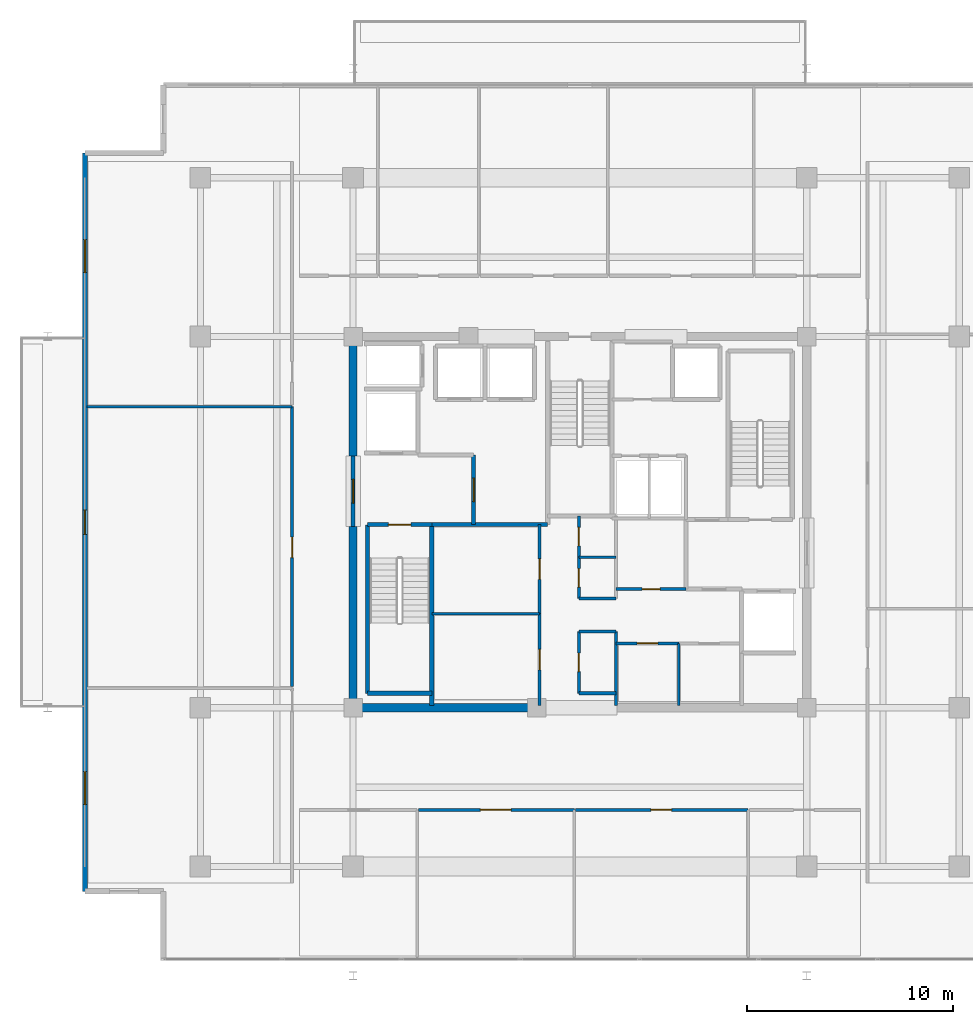
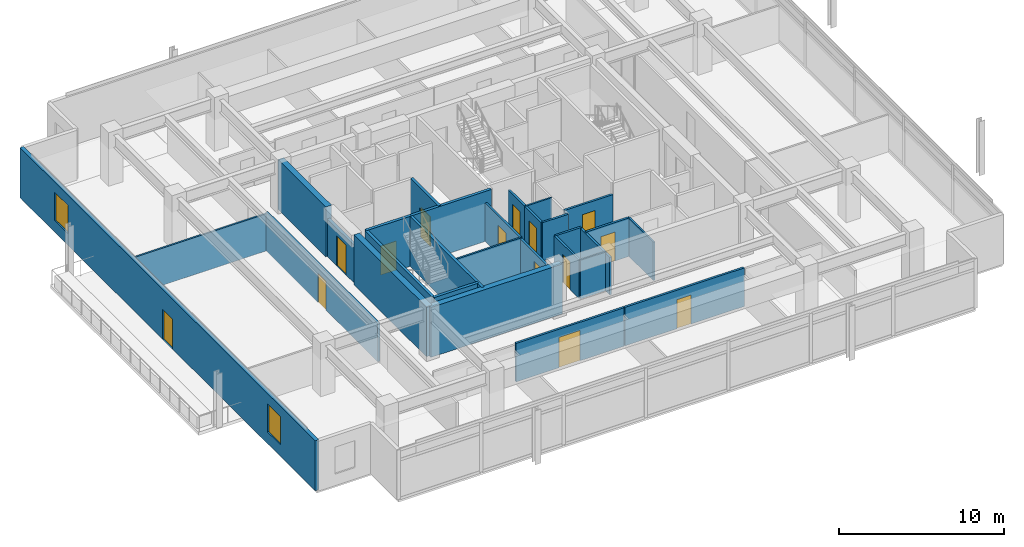
# One storey, part 11 of 18: 29 walls, 14 doors, 2 windows, 16 openings.
"""IFC4 building model written with IfcOpenShell, lengths in metres."""

from ifc_helpers import new_model, si_unit, direction, frame, frame_2d, origin, place, context, subcontext, project, spatial, rectangle, extrude, material, layer, layer_set, type_object, element, fill, save


model = new_model("IFC4")

# Units and contexts
model_context = context("Model", 3, precision=1e-05, world=origin(), true_north=direction((0.0, 1.0)))
body_context = subcontext(model_context, "Body", "Model", "MODEL_VIEW")
ifc_project = project(units=[si_unit("LENGTHUNIT", "METRE"), si_unit("AREAUNIT", "SQUARE_METRE"), si_unit("VOLUMEUNIT", "CUBIC_METRE"), si_unit("PLANEANGLEUNIT", "RADIAN"), si_unit("MASSUNIT", "GRAM", prefix="KILO")], contexts=[model_context])

# Site, building, storey
site_placement = place(None, origin())
site = spatial("IfcSite", under=ifc_project, at=site_placement, CompositionType="ELEMENT")
building_placement = place(site_placement, origin())
building = spatial("IfcBuilding", under=site, at=building_placement, Name="Kovane Verandah Tower", CompositionType="ELEMENT")
storey_placement = place(building_placement, frame((0.0, 0.0, 338.800048828125)))
storey = spatial("IfcBuildingStorey", under=building, at=storey_placement, Name="L79", CompositionType="ELEMENT", Elevation=338.800048828125)

# Walls
ifc_material_1 = material(Name="Fire-Rated Gypsum Stud Partition", Category="gypsum")
ifc_layer_1 = layer(ifc_material_1, 0.14990234375)
ifc_layer_set_1 = layer_set([ifc_layer_1], Name="Fire-Rated Gypsum Stud Partition")
wall_type_1 = type_object("IfcWallType", Name="WL-COR-150", PredefinedType="PARTITIONING", material=ifc_layer_set_1)
for number, where, z_axis, x_axis, name in (
    (1, (39.949951171875, 19.199951171875, 0.0), (0.0, 0.0, 1.0), (1.0, 0.0, 0.0), "L79 Central Core Strip South Wall"),
    (2, (39.949951171875, 22.199951171875, 0.0), (0.0, 0.0, 1.0), (1.0, 0.0, 0.0), "L79 Core Cross-Passage South Wall"),
    (3, (39.949951171875, 23.800048828125, 0.0), (0.0, 0.0, 1.0), (1.0, 0.0, 0.0), "L79 Core Cross-Passage North Wall"),
):
    element("IfcWall", number, at=place(storey_placement, frame(where, z_axis=z_axis, x_axis=x_axis)), inside=storey, type_object=wall_type_1, Name=name, PredefinedType="PARTITIONING", context=body_context, shape_type="SweptSolid", body=[
        extrude(rectangle(XDim=1.81005859375, YDim=0.14990234375, at=frame_2d((0.905029296875, 0.0))), origin(), (0.0, 0.0, 1.0), 2.849853515625),
    ])
wall_1_placement = place(storey_placement, frame((41.760009765625, 18.60009765625, 0.0), z_axis=(0.0, 0.0, 1.0), x_axis=(0.0, 1.0, 0.0)))
element("IfcWall", 4, at=wall_1_placement, inside=storey, type_object=wall_type_1, Name="L79 Central Core Strip Lower East Wall", PredefinedType="PARTITIONING", context=body_context, shape_type="SweptSolid", body=[
    extrude(rectangle(XDim=3.599853515625, YDim=0.14990234375, at=frame_2d((1.7998046875, 0.0))), origin(), (0.0, 0.0, 1.0), 2.780029296875),
])

# Wall, opening, door
wall_2_placement = place(storey_placement, frame((39.949951171875, 19.199951171875, 0.0), z_axis=(0.0, 0.0, 1.0), x_axis=(0.0, 1.0, 0.0)))
wall_2 = element("IfcWall", 5, at=wall_2_placement, inside=storey, type_object=wall_type_1, Name="L79 Male Toilet Partition", PredefinedType="PARTITIONING", context=body_context, shape_type="SweptSolid", body=[
    extrude(rectangle(XDim=3.0, YDim=0.14990234375, at=frame_2d((1.5, 0.0))), origin(), (0.0, 0.0, 1.0), 2.849853515625),
])
opening_1_placement = place(wall_2_placement, frame((1.050048828125, 0.0, 0.0)))
opening_1 = element("IfcOpeningElement", 6, at=opening_1_placement, cuts=wall_2, Name="Opening DR-L79-033", PredefinedType="OPENING", context=body_context, shape_type="SweptSolid", body=[
    extrude(rectangle(XDim=0.89990234375, YDim=2.10009765625, at=frame_2d((0.449951171875, 1.050048828125))), frame((0.0, 0.074951171875, 0.0), z_axis=(0.0, -1.0, 0.0), x_axis=(1.0, 0.0, 0.0)), (0.0, 0.0, 1.0), 0.14990234375),
])
ifc_material_2 = material(Name="Moisture-Resistant Laminate Washroom Door", Category="wood")
door_type_1 = type_object("IfcDoorType", Name="DR-WC-900", OperationType="SINGLE_SWING_LEFT", PredefinedType="DOOR", material=ifc_material_2)
door_1_placement = place(opening_1_placement, origin())
door_1 = element("IfcDoor", 7, at=door_1_placement, inside=storey, type_object=door_type_1, Name="L79 Male Toilet Door", OperationType="SINGLE_SWING_LEFT", OverallHeight=2.10009765625, OverallWidth=0.89990234375, PredefinedType="DOOR", context=body_context, shape_type="SweptSolid", body=[
    extrude(rectangle(XDim=0.89990234375, YDim=2.10009765625, at=frame_2d((0.449951171875, 1.050048828125))), frame((0.0, 0.02490234375, 0.0), z_axis=(0.0, -1.0, 0.0), x_axis=(1.0, 0.0, 0.0)), (0.0, 0.0, 1.0), 0.050048828125),
])
fill(opening_1, door_1)

wall_3_placement = place(storey_placement, frame((39.949951171875, 23.800048828125, 0.0), z_axis=(0.0, 0.0, 1.0), x_axis=(0.0, 1.0, 0.0)))
wall_3 = element("IfcWall", 8, at=wall_3_placement, inside=storey, type_object=wall_type_1, Name="L79 Female Toilet Partition", PredefinedType="PARTITIONING", context=body_context, shape_type="SweptSolid", body=[
    extrude(rectangle(XDim=2.0, YDim=0.14990234375, at=frame_2d((1.0, 0.0))), origin(), (0.0, 0.0, 1.0), 2.849853515625),
])
opening_2_placement = place(wall_3_placement, frame((0.550048828125, 0.0, 0.0)))
opening_2 = element("IfcOpeningElement", 9, at=opening_2_placement, cuts=wall_3, Name="Opening DR-L79-032", PredefinedType="OPENING", context=body_context, shape_type="SweptSolid", body=[
    extrude(rectangle(XDim=0.89990234375, YDim=2.10009765625, at=frame_2d((0.449951171875, 1.050048828125))), frame((0.0, 0.074951171875, 0.0), z_axis=(0.0, -1.0, 0.0), x_axis=(1.0, 0.0, 0.0)), (0.0, 0.0, 1.0), 0.14990234375),
])
door_2_placement = place(opening_2_placement, origin())
door_2 = element("IfcDoor", 10, at=door_2_placement, inside=storey, type_object=door_type_1, Name="L79 Female Toilet Door", OperationType="SINGLE_SWING_RIGHT", OverallHeight=2.10009765625, OverallWidth=0.89990234375, PredefinedType="DOOR", context=body_context, shape_type="SweptSolid", body=[
    extrude(rectangle(XDim=0.89990234375, YDim=2.10009765625, at=frame_2d((0.449951171875, 1.050048828125))), frame((0.0, 0.02490234375, 0.0), z_axis=(0.0, -1.0, 0.0), x_axis=(1.0, 0.0, 0.0)), (0.0, 0.0, 1.0), 0.050048828125),
])
fill(opening_2, door_2)

wall_4_placement = place(storey_placement, frame((39.949951171875, 25.800048828125, 0.0), z_axis=(0.0, 0.0, 1.0), x_axis=(0.0, 1.0, 0.0)))
wall_4 = element("IfcWall", 11, at=wall_4_placement, inside=storey, type_object=wall_type_1, Name="L79 Accessible Unisex Toilet Partition", PredefinedType="PARTITIONING", context=body_context, shape_type="SweptSolid", body=[
    extrude(rectangle(XDim=2.0, YDim=0.14990234375, at=frame_2d((1.0, 0.0))), origin(), (0.0, 0.0, 1.0), 2.849853515625),
])
opening_3_placement = place(wall_4_placement, frame((0.550048828125, 0.0, 0.0)))
opening_3 = element("IfcOpeningElement", 12, at=opening_3_placement, cuts=wall_4, Name="Opening DR-L79-031", PredefinedType="OPENING", context=body_context, shape_type="SweptSolid", body=[
    extrude(rectangle(XDim=0.89990234375, YDim=2.10009765625, at=frame_2d((0.449951171875, 1.050048828125))), frame((0.0, 0.074951171875, 0.0), z_axis=(0.0, -1.0, 0.0), x_axis=(1.0, 0.0, 0.0)), (0.0, 0.0, 1.0), 0.14990234375),
])
door_3_placement = place(opening_3_placement, origin())
door_3 = element("IfcDoor", 13, at=door_3_placement, inside=storey, type_object=door_type_1, Name="L79 Accessible Unisex Toilet Door", OperationType="SINGLE_SWING_LEFT", OverallHeight=2.10009765625, OverallWidth=0.89990234375, PredefinedType="DOOR", context=body_context, shape_type="SweptSolid", body=[
    extrude(rectangle(XDim=0.89990234375, YDim=2.10009765625, at=frame_2d((0.449951171875, 1.050048828125))), frame((0.0, 0.02490234375, 0.0), z_axis=(0.0, -1.0, 0.0), x_axis=(1.0, 0.0, 0.0)), (0.0, 0.0, 1.0), 0.050048828125),
])
fill(opening_3, door_3)

wall_5_placement = place(storey_placement, frame((38.050048828125, 18.60009765625, 0.0), z_axis=(0.0, 0.0, 1.0), x_axis=(0.0, 1.0, 0.0)))
wall_5 = element("IfcWall", 14, at=wall_5_placement, inside=storey, type_object=wall_type_1, Name="L79 IT Server Room Partition", PredefinedType="PARTITIONING", context=body_context, shape_type="SweptSolid", body=[
    extrude(rectangle(XDim=4.4599609375, YDim=0.14990234375, at=frame_2d((2.22998046875, 0.0))), origin(), (0.0, 0.0, 1.0), 2.780029296875),
])
opening_4_placement = place(wall_5_placement, frame((1.72998046875, 0.0, 0.0)))
opening_4 = element("IfcOpeningElement", 15, at=opening_4_placement, cuts=wall_5, Name="Opening DR-L79-014", PredefinedType="OPENING", context=body_context, shape_type="SweptSolid", body=[
    extrude(rectangle(XDim=1.0, YDim=2.14990234375, at=frame_2d((0.5, 1.074951171875))), frame((0.0, 0.074951171875, 0.0), z_axis=(0.0, -1.0, 0.0), x_axis=(1.0, 0.0, 0.0)), (0.0, 0.0, 1.0), 0.14990234375),
])
ifc_material_3 = material(Name="FSC Spotted-Gum Timber Fire-Rated Office Door", Category="wood")
door_type_2 = type_object("IfcDoorType", Name="DR-OFF-1000", OperationType="SINGLE_SWING_LEFT", PredefinedType="DOOR", material=ifc_material_3)
door_4_placement = place(opening_4_placement, origin())
door_4 = element("IfcDoor", 16, at=door_4_placement, inside=storey, type_object=door_type_2, Name="L79 IT Server Room Door", OperationType="SINGLE_SWING_RIGHT", OverallHeight=2.14990234375, OverallWidth=1.0, PredefinedType="DOOR", context=body_context, shape_type="SweptSolid", body=[
    extrude(rectangle(XDim=1.0, YDim=2.14990234375, at=frame_2d((0.5, 1.074951171875))), frame((0.0, 0.02490234375, 0.0), z_axis=(0.0, -1.0, 0.0), x_axis=(1.0, 0.0, 0.0)), (0.0, 0.0, 1.0), 0.050048828125),
])
fill(opening_4, door_4)

wall_6_placement = place(storey_placement, frame((38.050048828125, 23.06005859375, 0.0), z_axis=(0.0, 0.0, 1.0), x_axis=(0.0, 1.0, 0.0)))
wall_6 = element("IfcWall", 17, at=wall_6_placement, inside=storey, type_object=wall_type_1, Name="L79 Telecom MDF Room Partition", PredefinedType="PARTITIONING", context=body_context, shape_type="SweptSolid", body=[
    extrude(rectangle(XDim=4.31982421875, YDim=0.14990234375, at=frame_2d((2.159912109375, 0.0))), origin(), (0.0, 0.0, 1.0), 2.849853515625),
])
opening_5_placement = place(wall_6_placement, frame((1.659912109375, 0.0, 0.0)))
opening_5 = element("IfcOpeningElement", 18, at=opening_5_placement, cuts=wall_6, Name="Opening DR-L79-015", PredefinedType="OPENING", context=body_context, shape_type="SweptSolid", body=[
    extrude(rectangle(XDim=1.0, YDim=2.14990234375, at=frame_2d((0.5, 1.074951171875))), frame((0.0, 0.074951171875, 0.0), z_axis=(0.0, -1.0, 0.0), x_axis=(1.0, 0.0, 0.0)), (0.0, 0.0, 1.0), 0.14990234375),
])
door_5_placement = place(opening_5_placement, origin())
door_5 = element("IfcDoor", 19, at=door_5_placement, inside=storey, type_object=door_type_2, Name="L79 Telecom MDF Room Door", OperationType="SINGLE_SWING_LEFT", OverallHeight=2.14990234375, OverallWidth=1.0, PredefinedType="DOOR", context=body_context, shape_type="SweptSolid", body=[
    extrude(rectangle(XDim=1.0, YDim=2.14990234375, at=frame_2d((0.5, 1.074951171875))), frame((0.0, 0.02490234375, 0.0), z_axis=(0.0, -1.0, 0.0), x_axis=(1.0, 0.0, 0.0)), (0.0, 0.0, 1.0), 0.050048828125),
])
fill(opening_5, door_5)

wall_7_placement = place(storey_placement, frame((41.760009765625, 21.6201171875, 0.0), z_axis=(0.0, 0.0, 1.0), x_axis=(1.0, 0.0, 0.0)))
wall_7 = element("IfcWall", 20, at=wall_7_placement, inside=storey, type_object=wall_type_1, Name="L79 AV Control Room Partition", PredefinedType="PARTITIONING", context=body_context, shape_type="SweptSolid", body=[
    extrude(rectangle(XDim=3.0400390625, YDim=0.14990234375, at=frame_2d((1.52001953125, 0.0))), origin(), (0.0, 0.0, 1.0), 2.849853515625),
])
opening_6_placement = place(wall_7_placement, frame((1.02001953125, 0.0, 0.0)))
opening_6 = element("IfcOpeningElement", 21, at=opening_6_placement, cuts=wall_7, Name="Opening DR-L79-016", PredefinedType="OPENING", context=body_context, shape_type="SweptSolid", body=[
    extrude(rectangle(XDim=1.0, YDim=2.14990234375, at=frame_2d((0.5, 1.074951171875))), frame((0.0, 0.074951171875, 0.0), z_axis=(0.0, -1.0, 0.0), x_axis=(1.0, 0.0, 0.0)), (0.0, 0.0, 1.0), 0.14990234375),
])
door_6_placement = place(opening_6_placement, origin())
door_6 = element("IfcDoor", 22, at=door_6_placement, inside=storey, type_object=door_type_2, Name="L79 AV Control Room Door", OperationType="SINGLE_SWING_RIGHT", OverallHeight=2.14990234375, OverallWidth=1.0, PredefinedType="DOOR", context=body_context, shape_type="SweptSolid", body=[
    extrude(rectangle(XDim=1.0, YDim=2.14990234375, at=frame_2d((0.5, 1.074951171875))), frame((0.0, 0.02490234375, 0.0), z_axis=(0.0, -1.0, 0.0), x_axis=(1.0, 0.0, 0.0)), (0.0, 0.0, 1.0), 0.050048828125),
])
fill(opening_6, door_6)

wall_8_placement = place(storey_placement, frame((41.760009765625, 24.25, 0.0), z_axis=(0.0, 0.0, 1.0), x_axis=(1.0, 0.0, 0.0)))
wall_8 = element("IfcWall", 23, at=wall_8_placement, inside=storey, type_object=wall_type_1, Name="L79 Cleaner Store Partition", PredefinedType="PARTITIONING", context=body_context, shape_type="SweptSolid", body=[
    extrude(rectangle(XDim=3.389892578125, YDim=0.14990234375, at=frame_2d((1.69482421875, 0.0))), origin(), (0.0, 0.0, 1.0), 2.849853515625),
])
opening_7_placement = place(wall_8_placement, frame((1.2548828125, 0.0, 0.0)))
opening_7 = element("IfcOpeningElement", 24, at=opening_7_placement, cuts=wall_8, Name="Opening DR-L79-018", PredefinedType="OPENING", context=body_context, shape_type="SweptSolid", body=[
    extrude(rectangle(XDim=0.8798828125, YDim=2.10009765625, at=frame_2d((0.43994140625, 1.050048828125))), frame((0.0, 0.074951171875, 0.0), z_axis=(0.0, -1.0, 0.0), x_axis=(1.0, 0.0, 0.0)), (0.0, 0.0, 1.0), 0.14990234375),
])
ifc_material_4 = material(Name="Fire-Rated Steel Riser Access Door", Category="steel")
door_type_3 = type_object("IfcDoorType", Name="DR-RISER-880", OperationType="SINGLE_SWING_LEFT", PredefinedType="DOOR", material=ifc_material_4)
door_7_placement = place(opening_7_placement, origin())
door_7 = element("IfcDoor", 25, at=door_7_placement, inside=storey, type_object=door_type_3, Name="L79 Cleaner Store Door", OperationType="SINGLE_SWING_RIGHT", OverallHeight=2.10009765625, OverallWidth=0.8798828125, PredefinedType="DOOR", context=body_context, shape_type="SweptSolid", body=[
    extrude(rectangle(XDim=0.8798828125, YDim=2.10009765625, at=frame_2d((0.43994140625, 1.050048828125))), frame((0.0, 0.02490234375, 0.0), z_axis=(0.0, -1.0, 0.0), x_axis=(1.0, 0.0, 0.0)), (0.0, 0.0, 1.0), 0.050048828125),
])
fill(opening_7, door_7)

wall_9_placement = place(storey_placement, frame((32.181884765625, 13.550048828125, 0.0), z_axis=(0.0, 0.0, 1.0), x_axis=(1.0, 0.0, 0.0)))
wall_9 = element("IfcWall", 26, at=wall_9_placement, inside=storey, type_object=wall_type_1, Name="L79 Client Boardroom S2 Corridor Partition", PredefinedType="PARTITIONING", context=body_context, shape_type="SweptSolid", body=[
    extrude(rectangle(XDim=7.546142578125, YDim=0.14990234375, at=frame_2d((3.77294921875, 0.0))), origin(), (0.0, 0.0, 1.0), 2.849853515625),
])
opening_8_placement = place(wall_9_placement, frame((2.988037109375, 0.0, 0.0)))
opening_8 = element("IfcOpeningElement", 27, at=opening_8_placement, cuts=wall_9, Name="Opening DR-L79-028", PredefinedType="OPENING", context=body_context, shape_type="SweptSolid", body=[
    extrude(rectangle(XDim=1.5, YDim=2.25, at=frame_2d((0.75, 1.125))), frame((0.0, 0.074951171875, 0.0), z_axis=(0.0, -1.0, 0.0), x_axis=(1.0, 0.0, 0.0)), (0.0, 0.0, 1.0), 0.14990234375),
])
ifc_material_5 = material(Name="Glazed Timber Fire-Rated Double Door", Category="wood")
door_type_4 = type_object("IfcDoorType", Name="DR-CONF-1500", OperationType="DOUBLE_DOOR_SINGLE_SWING", PredefinedType="DOOR", material=ifc_material_5)
door_8_placement = place(opening_8_placement, origin())
door_8 = element("IfcDoor", 28, at=door_8_placement, inside=storey, type_object=door_type_4, Name="L79 Client Boardroom S2 Entrance Door", OperationType="DOUBLE_DOOR_SINGLE_SWING", OverallHeight=2.25, OverallWidth=1.5, PredefinedType="DOOR", context=body_context, shape_type="SweptSolid", body=[
    extrude(rectangle(XDim=1.5, YDim=2.25, at=frame_2d((0.75, 1.125))), frame((0.0, 0.02490234375, 0.0), z_axis=(0.0, -1.0, 0.0), x_axis=(1.0, 0.0, 0.0)), (0.0, 0.0, 1.0), 0.050048828125),
])
fill(opening_8, door_8)

wall_10_placement = place(storey_placement, frame((39.798095703125, 13.550048828125, 0.0), z_axis=(0.0, 0.0, 1.0), x_axis=(1.0, 0.0, 0.0)))
wall_10 = element("IfcWall", 29, at=wall_10_placement, inside=storey, type_object=wall_type_1, Name="L79 Meeting Room S3 Corridor Partition", PredefinedType="PARTITIONING", context=body_context, shape_type="SweptSolid", body=[
    extrude(rectangle(XDim=8.36181640625, YDim=0.14990234375, at=frame_2d((4.180908203125, 0.0))), origin(), (0.0, 0.0, 1.0), 2.849853515625),
])
opening_9_placement = place(wall_10_placement, frame((3.64599609375, 0.0, 0.0)))
opening_9 = element("IfcOpeningElement", 30, at=opening_9_placement, cuts=wall_10, Name="Opening DR-L79-029", PredefinedType="OPENING", context=body_context, shape_type="SweptSolid", body=[
    extrude(rectangle(XDim=1.0, YDim=2.14990234375, at=frame_2d((0.5, 1.074951171875))), frame((0.0, 0.074951171875, 0.0), z_axis=(0.0, -1.0, 0.0), x_axis=(1.0, 0.0, 0.0)), (0.0, 0.0, 1.0), 0.14990234375),
])
door_9_placement = place(opening_9_placement, origin())
door_9 = element("IfcDoor", 31, at=door_9_placement, inside=storey, type_object=door_type_2, Name="L79 Meeting Room S3 Entrance Door", OperationType="SINGLE_SWING_LEFT", OverallHeight=2.14990234375, OverallWidth=1.0, PredefinedType="DOOR", context=body_context, shape_type="SweptSolid", body=[
    extrude(rectangle(XDim=1.0, YDim=2.14990234375, at=frame_2d((0.5, 1.074951171875))), frame((0.0, 0.02490234375, 0.0), z_axis=(0.0, -1.0, 0.0), x_axis=(1.0, 0.0, 0.0)), (0.0, 0.0, 1.0), 0.050048828125),
])
fill(opening_9, door_9)

wall_11_placement = place(storey_placement, frame((26.050048828125, 19.52001953125, 0.0), z_axis=(0.0, 0.0, 1.0), x_axis=(0.0, 1.0, 0.0)))
wall_11 = element("IfcWall", 32, at=wall_11_placement, inside=storey, type_object=wall_type_1, Name="L79 Collaboration Hub W2 Corridor Partition", PredefinedType="PARTITIONING", context=body_context, shape_type="SweptSolid", body=[
    extrude(rectangle(XDim=13.580078125, YDim=0.14990234375, at=frame_2d((6.7900390625, 0.0))), origin(), (0.0, 0.0, 1.0), 2.849853515625),
])
opening_10_placement = place(wall_11_placement, frame((6.2548828125, 0.0, 0.0)))
opening_10 = element("IfcOpeningElement", 33, at=opening_10_placement, cuts=wall_11, Name="Opening DR-L79-035", PredefinedType="OPENING", context=body_context, shape_type="SweptSolid", body=[
    extrude(rectangle(XDim=1.0, YDim=2.14990234375, at=frame_2d((0.5, 1.074951171875))), frame((0.0, 0.074951171875, 0.0), z_axis=(0.0, -1.0, 0.0), x_axis=(1.0, 0.0, 0.0)), (0.0, 0.0, 1.0), 0.14990234375),
])
door_10_placement = place(opening_10_placement, origin())
door_10 = element("IfcDoor", 34, at=door_10_placement, inside=storey, type_object=door_type_2, Name="L79 Collaboration Hub W2 Entrance Door", OperationType="SINGLE_SWING_RIGHT", OverallHeight=2.14990234375, OverallWidth=1.0, PredefinedType="DOOR", context=body_context, shape_type="SweptSolid", body=[
    extrude(rectangle(XDim=1.0, YDim=2.14990234375, at=frame_2d((0.5, 1.074951171875))), frame((0.0, 0.02490234375, 0.0), z_axis=(0.0, -1.0, 0.0), x_axis=(1.0, 0.0, 0.0)), (0.0, 0.0, 1.0), 0.050048828125),
])
fill(opening_10, door_10)

# Walls
ifc_material_6 = material(Name="Concrete C60/75", Category="concrete")
ifc_layer_2 = layer(ifc_material_6, 0.39990234375)
ifc_layer_set_2 = layer_set([ifc_layer_2], Name="Concrete C60/75")
wall_type_2 = type_object("IfcWallType", Name="WL-CORE-400", PredefinedType="SHEAR", material=ifc_layer_set_2)
wall_12_placement = place(storey_placement, frame((29.0, 18.5, 0.0), z_axis=(0.0, 0.0, 1.0), x_axis=(1.0, 0.0, 0.0)))
element("IfcWall", 35, at=wall_12_placement, inside=storey, type_object=wall_type_2, Name="L79 Core Shear Wall CS-1", PredefinedType="SHEAR", context=body_context, shape_type="SweptSolid", body=[
    extrude(rectangle(XDim=9.199951171875, YDim=0.39990234375, at=frame_2d((4.60009765625, 0.0))), origin(), (0.0, 0.0, 1.0), 3.699951171875),
])
wall_13_placement = place(storey_placement, frame((29.0, 18.5, 0.0), z_axis=(0.0, 0.0, 1.0), x_axis=(0.0, 1.0, 0.0)))
element("IfcWall", 36, at=wall_13_placement, inside=storey, type_object=wall_type_2, Name="L79 Core Shear Wall CW-1", PredefinedType="SHEAR", context=body_context, shape_type="SweptSolid", body=[
    extrude(rectangle(XDim=8.800048828125, YDim=0.39990234375, at=frame_2d((4.39990234375, 0.0))), origin(), (0.0, 0.0, 1.0), 3.699951171875),
])
wall_14_placement = place(storey_placement, frame((29.0, 30.699951171875, 0.0), z_axis=(0.0, 0.0, 1.0), x_axis=(0.0, 1.0, 0.0)))
element("IfcWall", 37, at=wall_14_placement, inside=storey, type_object=wall_type_2, Name="L79 Core Shear Wall CW-2", PredefinedType="SHEAR", context=body_context, shape_type="SweptSolid", body=[
    extrude(rectangle(XDim=5.800048828125, YDim=0.39990234375, at=frame_2d((2.89990234375, 0.0))), origin(), (0.0, 0.0, 1.0), 3.699951171875),
])

# Wall, opening, door
ifc_material_7 = material(Name="Concrete C45/55 Fire Wall", Category="concrete")
ifc_layer_3 = layer(ifc_material_7, 0.199951171875)
ifc_layer_set_3 = layer_set([ifc_layer_3], Name="Concrete C45/55 Fire Wall")
wall_type_3 = type_object("IfcWallType", Name="WL-FFL-200", PredefinedType="PARTITIONING", material=ifc_layer_set_3)
wall_15_placement = place(storey_placement, frame((34.85009765625, 27.3798828125, 0.0), z_axis=(0.0, 0.0, 1.0), x_axis=(0.0, 1.0, 0.0)))
wall_15 = element("IfcWall", 38, at=wall_15_placement, inside=storey, type_object=wall_type_3, Name="W-L79-FFLW-E", PredefinedType="PARTITIONING", context=body_context, shape_type="SweptSolid", body=[
    extrude(rectangle(XDim=3.3701171875, YDim=0.199951171875, at=frame_2d((1.68505859375, 0.0))), origin(), (0.0, 0.0, 1.0), 3.699951171875),
])
opening_11_placement = place(wall_15_placement, frame((1.110107421875, 0.0, 0.0)))
opening_11 = element("IfcOpeningElement", 39, at=opening_11_placement, cuts=wall_15, Name="Opening DR-L79-006", PredefinedType="OPENING", context=body_context, shape_type="SweptSolid", body=[
    extrude(rectangle(XDim=1.14990234375, YDim=2.199951171875, at=frame_2d((0.574951171875, 1.10009765625))), frame((0.0, 0.10009765625, 0.0), z_axis=(0.0, -1.0, 0.0), x_axis=(1.0, 0.0, 0.0)), (0.0, 0.0, 1.0), 0.199951171875),
])
ifc_material_8 = material(Name="Smoke-Sealed Firefighting Lobby Door", Category="steel")
door_type_5 = type_object("IfcDoorType", Name="DR-FFL-1150", OperationType="SINGLE_SWING_LEFT", PredefinedType="DOOR", material=ifc_material_8)
door_11_placement = place(opening_11_placement, origin())
door_11 = element("IfcDoor", 40, at=door_11_placement, inside=storey, type_object=door_type_5, Name="L79 West Firefighting Lobby Inner Door", OperationType="SINGLE_SWING_LEFT", OverallHeight=2.199951171875, OverallWidth=1.14990234375, PredefinedType="DOOR", context=body_context, shape_type="SweptSolid", body=[
    extrude(rectangle(XDim=1.14990234375, YDim=2.199951171875, at=frame_2d((0.574951171875, 1.10009765625))), frame((0.0, 0.02490234375, 0.0), z_axis=(0.0, -1.0, 0.0), x_axis=(1.0, 0.0, 0.0)), (0.0, 0.0, 1.0), 0.050048828125),
])
fill(opening_11, door_11)

wall_16_placement = place(storey_placement, frame((29.0, 27.300048828125, 0.0), z_axis=(0.0, 0.0, 1.0), x_axis=(0.0, 1.0, 0.0)))
wall_16 = element("IfcWall", 41, at=wall_16_placement, inside=storey, type_object=wall_type_3, Name="W-L79-FFLW-OUT", PredefinedType="PARTITIONING", context=body_context, shape_type="SweptSolid", body=[
    extrude(rectangle(XDim=3.39990234375, YDim=0.199951171875, at=frame_2d((1.699951171875, 0.0))), origin(), (0.0, 0.0, 1.0), 2.780029296875),
])
opening_12_placement = place(wall_16_placement, frame((1.125, 0.0, 0.0)))
opening_12 = element("IfcOpeningElement", 42, at=opening_12_placement, cuts=wall_16, Name="Opening DR-L79-007", PredefinedType="OPENING", context=body_context, shape_type="SweptSolid", body=[
    extrude(rectangle(XDim=1.14990234375, YDim=2.199951171875, at=frame_2d((0.574951171875, 1.10009765625))), frame((0.0, 0.10009765625, 0.0), z_axis=(0.0, -1.0, 0.0), x_axis=(1.0, 0.0, 0.0)), (0.0, 0.0, 1.0), 0.199951171875),
])
door_12_placement = place(opening_12_placement, origin())
door_12 = element("IfcDoor", 43, at=door_12_placement, inside=storey, type_object=door_type_5, Name="L79 West Firefighting Lobby Corridor Door", OperationType="SINGLE_SWING_RIGHT", OverallHeight=2.199951171875, OverallWidth=1.14990234375, PredefinedType="DOOR", context=body_context, shape_type="SweptSolid", body=[
    extrude(rectangle(XDim=1.14990234375, YDim=2.199951171875, at=frame_2d((0.574951171875, 1.10009765625))), frame((0.0, 0.02490234375, 0.0), z_axis=(0.0, -1.0, 0.0), x_axis=(1.0, 0.0, 0.0)), (0.0, 0.0, 1.0), 0.050048828125),
])
fill(opening_12, door_12)

# Walls
wall_17_placement = place(storey_placement, frame((32.820068359375, 27.3798828125, 0.0), z_axis=(0.0, 0.0, 1.0), x_axis=(1.0, 0.0, 0.0)))
element("IfcWall", 44, at=wall_17_placement, inside=storey, type_object=wall_type_3, Name="L79 West Firefighting Lobby South Fire Wall", PredefinedType="PARTITIONING", context=body_context, shape_type="SweptSolid", body=[
    extrude(rectangle(XDim=5.619873046875, YDim=0.199951171875, at=frame_2d((2.81005859375, 0.0))), origin(), (0.0, 0.0, 1.0), 3.699951171875),
])
ifc_material_9 = material(Name="Acoustic Fire-Rated Gypsum Partition", Category="gypsum")
ifc_layer_4 = layer(ifc_material_9, 0.1201171875)
ifc_layer_set_4 = layer_set([ifc_layer_4], Name="Acoustic Fire-Rated Gypsum Partition")
wall_type_4 = type_object("IfcWallType", Name="WL-PART-120", PredefinedType="PARTITIONING", material=ifc_layer_set_4)
wall_18_placement = place(storey_placement, frame((39.949951171875, 25.800048828125, 0.0), z_axis=(0.0, 0.0, 1.0), x_axis=(1.0, 0.0, 0.0)))
element("IfcWall", 45, at=wall_18_placement, inside=storey, type_object=wall_type_4, Name="L79 Central Core Strip Upper Dividing Partition", PredefinedType="PARTITIONING", context=body_context, shape_type="SweptSolid", body=[
    extrude(rectangle(XDim=1.81005859375, YDim=0.1201171875, at=frame_2d((0.905029296875, 0.0))), origin(), (0.0, 0.0, 1.0), 2.849853515625),
])
wall_19_placement = place(storey_placement, frame((32.820068359375, 23.06005859375, 0.0), z_axis=(0.0, 0.0, 1.0), x_axis=(1.0, 0.0, 0.0)))
element("IfcWall", 46, at=wall_19_placement, inside=storey, type_object=wall_type_4, Name="L79 Core Support Dividing Partition", PredefinedType="PARTITIONING", context=body_context, shape_type="SweptSolid", body=[
    extrude(rectangle(XDim=5.22998046875, YDim=0.1201171875, at=frame_2d((2.614990234375, 0.0))), origin(), (0.0, 0.0, 1.0), 2.849853515625),
])
wall_20_placement = place(storey_placement, frame((44.800048828125, 18.60009765625, 0.0), z_axis=(0.0, 0.0, 1.0), x_axis=(0.0, 1.0, 0.0)))
element("IfcWall", 47, at=wall_20_placement, inside=storey, type_object=wall_type_4, Name="L79 East Core Support Dividing Partition", PredefinedType="PARTITIONING", context=body_context, shape_type="SweptSolid", body=[
    extrude(rectangle(XDim=3.02001953125, YDim=0.1201171875, at=frame_2d((1.510009765625, 0.0))), origin(), (0.0, 0.0, 1.0), 2.849853515625),
])
wall_21_placement = place(storey_placement, frame((16.10009765625, 33.10009765625, 0.0), z_axis=(0.0, 0.0, 1.0), x_axis=(1.0, 0.0, 0.0)))
element("IfcWall", 48, at=wall_21_placement, inside=storey, type_object=wall_type_4, Name="L79 Collaboration Hub W2 Dividing Partition", PredefinedType="PARTITIONING", context=body_context, shape_type="SweptSolid", body=[
    extrude(rectangle(XDim=9.949951171875, YDim=0.1201171875, at=frame_2d((4.97509765625, 0.0))), origin(), (0.0, 0.0, 1.0), 2.75341796875),
])
ifc_material_10 = material(Name="Concrete C45/55", Category="concrete")
ifc_layer_5 = layer(ifc_material_10, 0.199951171875)
ifc_layer_set_5 = layer_set([ifc_layer_5], Name="Concrete C45/55")
wall_type_5 = type_object("IfcWallType", Name="WL-SHAFT-200", PredefinedType="SOLIDWALL", material=ifc_layer_set_5)
wall_22_placement = place(storey_placement, frame((29.699951171875, 19.199951171875, 0.0), z_axis=(0.0, 0.0, 1.0), x_axis=(0.0, 1.0, 0.0)))
element("IfcWall", 49, at=wall_22_placement, inside=storey, type_object=wall_type_5, Name="W-L79-ST01-W", PredefinedType="SOLIDWALL", context=body_context, shape_type="SweptSolid", body=[
    extrude(rectangle(XDim=8.150146484375, YDim=0.199951171875, at=frame_2d((4.0751953125, 0.0))), origin(), (0.0, 0.0, 1.0), 3.699951171875),
])
wall_23_placement = place(storey_placement, frame((29.699951171875, 19.199951171875, 0.0), z_axis=(0.0, 0.0, 1.0), x_axis=(1.0, 0.0, 0.0)))
element("IfcWall", 50, at=wall_23_placement, inside=storey, type_object=wall_type_5, Name="W-L79-ST01-S", PredefinedType="SOLIDWALL", context=body_context, shape_type="SweptSolid", body=[
    extrude(rectangle(XDim=3.1201171875, YDim=0.199951171875, at=frame_2d((1.56005859375, 0.0))), origin(), (0.0, 0.0, 1.0), 3.699951171875),
])
wall_24_placement = place(storey_placement, frame((32.820068359375, 18.60009765625, 0.0), z_axis=(0.0, 0.0, 1.0), x_axis=(0.0, 1.0, 0.0)))
element("IfcWall", 51, at=wall_24_placement, inside=storey, type_object=wall_type_5, Name="W-L79-ST01-E", PredefinedType="SOLIDWALL", context=body_context, shape_type="SweptSolid", body=[
    extrude(rectangle(XDim=8.77978515625, YDim=0.199951171875, at=frame_2d((4.389892578125, 0.0))), origin(), (0.0, 0.0, 1.0), 3.699951171875),
])

# Wall, opening, door
wall_25_placement = place(storey_placement, frame((29.699951171875, 27.3798828125, 0.0), z_axis=(0.0, 0.0, 1.0), x_axis=(1.0, 0.0, 0.0)))
wall_25 = element("IfcWall", 52, at=wall_25_placement, inside=storey, type_object=wall_type_5, Name="W-L79-ST01-N", PredefinedType="SOLIDWALL", context=body_context, shape_type="SweptSolid", body=[
    extrude(rectangle(XDim=3.1201171875, YDim=0.199951171875, at=frame_2d((1.56005859375, 0.0))), origin(), (0.0, 0.0, 1.0), 3.699951171875),
])
opening_13_placement = place(wall_25_placement, frame((1.010009765625, 0.0, 0.0)))
opening_13 = element("IfcOpeningElement", 53, at=opening_13_placement, cuts=wall_25, Name="Opening DR-L79-008", PredefinedType="OPENING", context=body_context, shape_type="SweptSolid", body=[
    extrude(rectangle(XDim=1.10009765625, YDim=2.14990234375, at=frame_2d((0.550048828125, 1.074951171875))), frame((0.0, 0.10009765625, 0.0), z_axis=(0.0, -1.0, 0.0), x_axis=(1.0, 0.0, 0.0)), (0.0, 0.0, 1.0), 0.199951171875),
])
ifc_material_11 = material(Name="Fire-Rated Steel Exit Door", Category="steel")
door_type_6 = type_object("IfcDoorType", Name="DR-STAIR-1100", OperationType="SINGLE_SWING_LEFT", PredefinedType="DOOR", material=ifc_material_11)
door_13_placement = place(opening_13_placement, origin())
door_13 = element("IfcDoor", 54, at=door_13_placement, inside=storey, type_object=door_type_6, Name="L79 ST-01 Fire Exit Stair Door", OperationType="SINGLE_SWING_RIGHT", OverallHeight=2.14990234375, OverallWidth=1.10009765625, PredefinedType="DOOR", context=body_context, shape_type="SweptSolid", body=[
    extrude(rectangle(XDim=1.10009765625, YDim=2.14990234375, at=frame_2d((0.550048828125, 1.074951171875))), frame((0.0, 0.02490234375, 0.0), z_axis=(0.0, -1.0, 0.0), x_axis=(1.0, 0.0, 0.0)), (0.0, 0.0, 1.0), 0.050048828125),
])
fill(opening_13, door_13)

# Wall, openings, door, windows
ifc_material_12 = material(Name="Concrete C45/55 Insulated Spandrel Wall", Category="concrete")
ifc_layer_6 = layer(ifc_material_12, 0.260009765625)
ifc_layer_set_6 = layer_set([ifc_layer_6], Name="Concrete C45/55 Insulated Spandrel Wall")
wall_type_6 = type_object("IfcWallType", Name="WL-SPANDREL-260", PredefinedType="PARAPET", material=ifc_layer_set_6)
wall_26_placement = place(storey_placement, frame((16.0, 45.39990234375, 0.0), z_axis=(0.0, 0.0, 1.0), x_axis=(0.0, -1.0, 0.0)))
wall_26 = element("IfcWall", 55, at=wall_26_placement, inside=storey, type_object=wall_type_6, Name="L79 W Verandah Access Facade Wall", PredefinedType="PARAPET", context=body_context, shape_type="SweptSolid", body=[
    extrude(rectangle(XDim=35.7998046875, YDim=0.260009765625, at=frame_2d((17.89990234375, 0.0))), origin(), (0.0, 0.0, 1.0), 3.699951171875),
])
opening_14_placement = place(wall_26_placement, frame((4.199951171875, 0.0, 0.85009765625)))
opening_14 = element("IfcOpeningElement", 56, at=opening_14_placement, cuts=wall_26, Name="Opening W-02", PredefinedType="OPENING", context=body_context, shape_type="SweptSolid", body=[
    extrude(rectangle(XDim=1.60009765625, YDim=2.10009765625, at=frame_2d((0.800048828125, 1.050048828125))), frame((0.0, 0.1298828125, 0.0), z_axis=(0.0, -1.0, 0.0), x_axis=(1.0, 0.0, 0.0)), (0.0, 0.0, 1.0), 0.260009765625),
])
opening_15_placement = place(wall_26_placement, frame((17.300048828125, 0.0, 0.0)))
opening_15 = element("IfcOpeningElement", 57, at=opening_15_placement, cuts=wall_26, Name="Opening DR-L79-002", PredefinedType="OPENING", context=body_context, shape_type="SweptSolid", body=[
    extrude(rectangle(XDim=1.199951171875, YDim=2.199951171875, at=frame_2d((0.60009765625, 1.10009765625))), frame((0.0, 0.1298828125, 0.0), z_axis=(0.0, -1.0, 0.0), x_axis=(1.0, 0.0, 0.0)), (0.0, 0.0, 1.0), 0.260009765625),
])
opening_16_placement = place(wall_26_placement, frame((30.0, 0.0, 0.85009765625)))
opening_16 = element("IfcOpeningElement", 58, at=opening_16_placement, cuts=wall_26, Name="Opening W-02", PredefinedType="OPENING", context=body_context, shape_type="SweptSolid", body=[
    extrude(rectangle(XDim=1.60009765625, YDim=2.10009765625, at=frame_2d((0.800048828125, 1.050048828125))), frame((0.0, 0.1298828125, 0.0), z_axis=(0.0, -1.0, 0.0), x_axis=(1.0, 0.0, 0.0)), (0.0, 0.0, 1.0), 0.260009765625),
])
ifc_material_13 = material(Name="Cyclone-Rated Glazed Balcony Leaf Door", Category="aluminium")
door_type_7 = type_object("IfcDoorType", Name="DR-BAL-1200x2200", OperationType="SINGLE_SWING_LEFT", PredefinedType="DOOR", material=ifc_material_13)
door_14_placement = place(opening_15_placement, origin())
door_14 = element("IfcDoor", 59, at=door_14_placement, inside=storey, type_object=door_type_7, Name="L79 W Planted Balcony Access Door", OperationType="SINGLE_SWING_LEFT", OverallHeight=2.199951171875, OverallWidth=1.199951171875, PredefinedType="DOOR", context=body_context, shape_type="SweptSolid", body=[
    extrude(rectangle(XDim=1.199951171875, YDim=2.199951171875, at=frame_2d((0.60009765625, 1.10009765625))), frame((0.0, 0.02490234375, 0.0), z_axis=(0.0, -1.0, 0.0), x_axis=(1.0, 0.0, 0.0)), (0.0, 0.0, 1.0), 0.050048828125),
])
fill(opening_15, door_14)
ifc_material_14 = material(Name="Clear Low-E Laminated Double Glazing in Anodised Frame", Category="glass")
window_type = type_object("IfcWindowType", Name="WN-OPER-1600x2100", PartitioningType="SINGLE_PANEL", PredefinedType="WINDOW", material=ifc_material_14)
window_1_placement = place(opening_14_placement, origin())
window_1 = element("IfcWindow", 60, at=window_1_placement, inside=storey, type_object=window_type, Name="L79 W Verandah View Window 1", OverallHeight=2.10009765625, OverallWidth=1.60009765625, PartitioningType="SINGLE_PANEL", PredefinedType="WINDOW", context=body_context, shape_type="SweptSolid", body=[
    extrude(rectangle(XDim=1.60009765625, YDim=2.10009765625, at=frame_2d((0.800048828125, 1.050048828125))), frame((0.0, 0.030029296875, 0.0), z_axis=(0.0, -1.0, 0.0), x_axis=(1.0, 0.0, 0.0)), (0.0, 0.0, 1.0), 0.06005859375),
])
fill(opening_14, window_1)
window_2_placement = place(opening_16_placement, origin())
window_2 = element("IfcWindow", 61, at=window_2_placement, inside=storey, type_object=window_type, Name="L79 W Verandah View Window 2", OverallHeight=2.10009765625, OverallWidth=1.60009765625, PartitioningType="SINGLE_PANEL", PredefinedType="WINDOW", context=body_context, shape_type="SweptSolid", body=[
    extrude(rectangle(XDim=1.60009765625, YDim=2.10009765625, at=frame_2d((0.800048828125, 1.050048828125))), frame((0.0, 0.030029296875, 0.0), z_axis=(0.0, -1.0, 0.0), x_axis=(1.0, 0.0, 0.0)), (0.0, 0.0, 1.0), 0.06005859375),
])
fill(opening_16, window_2)

save(model, "model.ifc")
